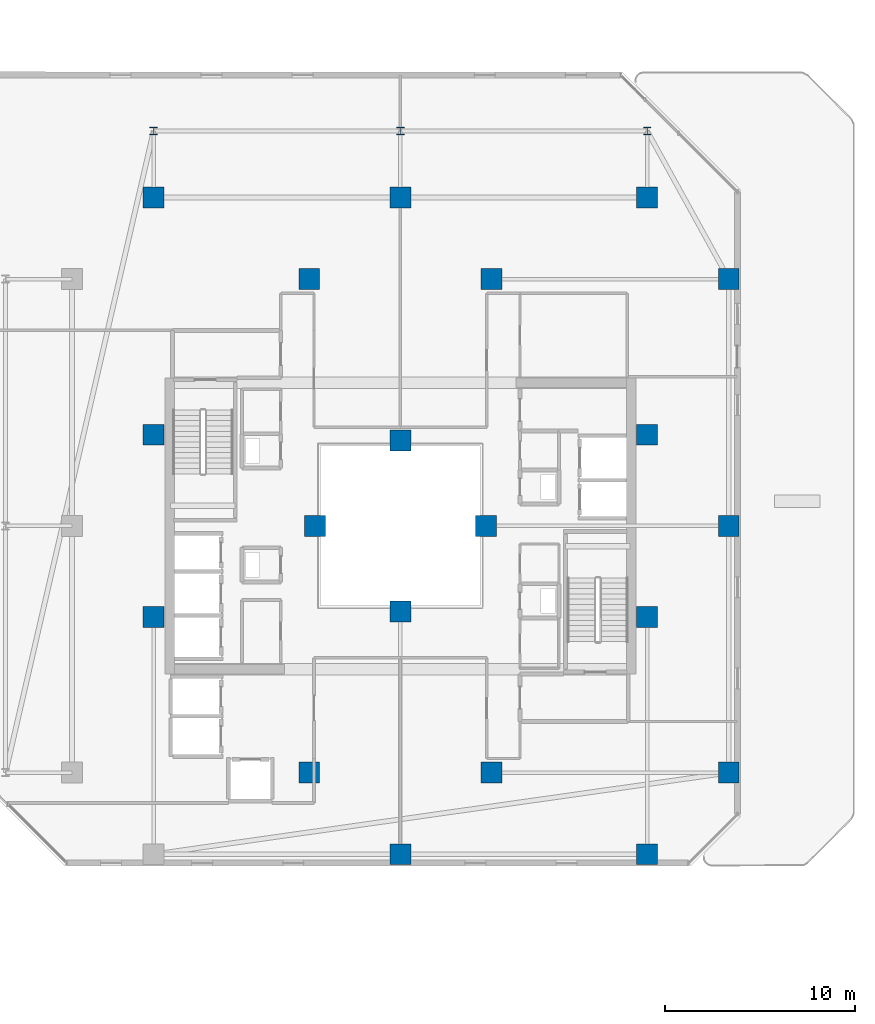
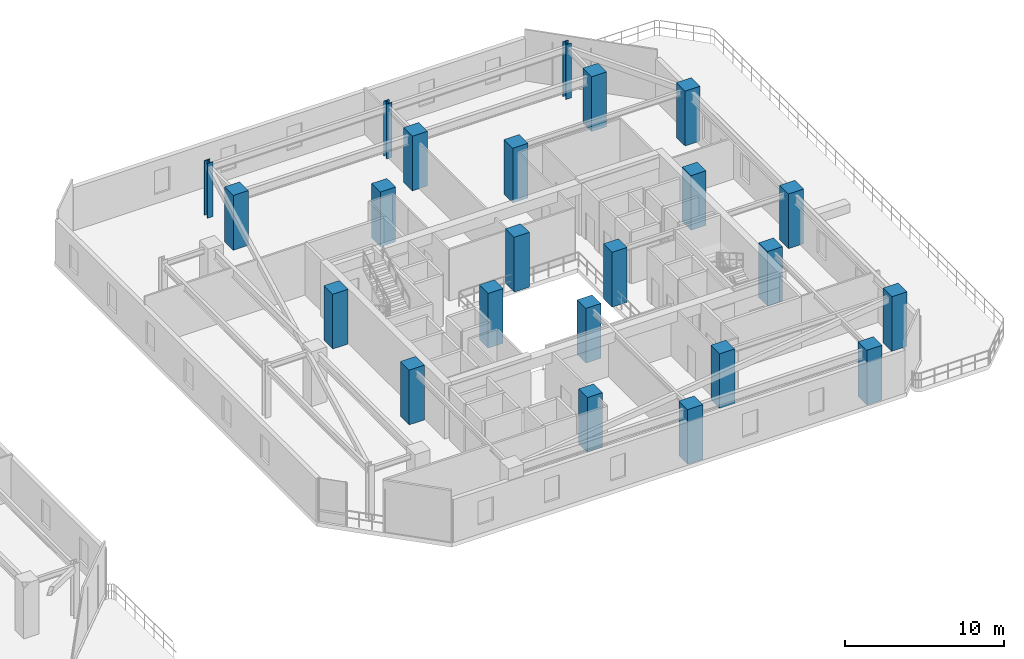
# One storey, part 2 of 33: 23 columns.
"""IFC4 building model written with IfcOpenShell, lengths in metres."""

from ifc_helpers import new_model, si_unit, direction, frame, origin, origin_2d, place, context, subcontext, project, spatial, rectangle, i_section, extrude, material, material_profile, profile_set, type_object, element, save


model = new_model("IFC4")

# Units and contexts
model_context = context("Model", 3, precision=1e-05, world=origin(), true_north=direction((0.0, 1.0)))
body_context = subcontext(model_context, "Body", "Model", "MODEL_VIEW")
ifc_project = project(units=[si_unit("LENGTHUNIT", "METRE"), si_unit("AREAUNIT", "SQUARE_METRE"), si_unit("VOLUMEUNIT", "CUBIC_METRE"), si_unit("PLANEANGLEUNIT", "RADIAN"), si_unit("MASSUNIT", "GRAM", prefix="KILO")], contexts=[model_context])

# Site, building, storey
site_placement = place(None, origin())
site = spatial("IfcSite", under=ifc_project, at=site_placement, CompositionType="ELEMENT")
building_placement = place(site_placement, origin())
building = spatial("IfcBuilding", under=site, at=building_placement, Name="Thornwick Lancets Civic Towers", CompositionType="ELEMENT")
storey_placement = place(building_placement, frame((0.0, 0.0, 174.300048828125)))
storey = spatial("IfcBuildingStorey", under=building, at=storey_placement, Name="L46", CompositionType="ELEMENT", Elevation=174.300048828125)

# Columns
ifc_material_1 = material(Name="Concrete C50/60", Category="concrete")
ifc_material_profile_1 = material_profile(ifc_material_1, rectangle(XDim=1.10009765625, YDim=1.10009765625, at=origin_2d()), Name="RC 1100x1100")
ifc_profile_set_1 = profile_set([ifc_material_profile_1], Name="Concrete C50/60")
column_type_1 = type_object("IfcColumnType", Name="COL_RC_1100", PredefinedType="COLUMN", material=ifc_profile_set_1)
for number, where, z_axis, x_axis, name in (
    (1, (105.800048828125, 14.0, 0.0), (0.0, 0.0, 1.0), (1.0, 0.0, 0.0), "L46 Spine Mega-Column B01"),
    (2, (105.800048828125, 27.0, 0.0), (0.0, 0.0, 1.0), (1.0, 0.0, 0.0), "L46 Spine Mega-Column B02"),
    (3, (105.800048828125, 40.0, 0.0), (0.0, 0.0, 1.0), (1.0, 0.0, 0.0), "L46 Spine Mega-Column B03"),
    (4, (101.5, 44.300048828125, 0.0), (0.0, 0.0, 1.0), (1.0, 0.0, 0.0), "L46 Spine Mega-Column B04"),
    (5, (88.5, 44.300048828125, 0.0), (0.0, 0.0, 1.0), (1.0, 0.0, 0.0), "L46 Spine Mega-Column B05"),
    (6, (75.5, 44.300048828125, 0.0), (0.0, 0.0, 1.0), (1.0, 0.0, 0.0), "L46 Spine Mega-Column B06"),
    (7, (101.5, 9.699951171875, 0.0), (0.0, 0.0, 1.0), (1.0, 0.0, 0.0), "L46 Spine Mega-Column B10"),
    (8, (88.5, 9.699951171875, 0.0), (0.0, 0.0, 1.0), (1.0, 0.0, 0.0), "L46 Spine Mega-Column B11"),
    (9, (93.300048828125, 14.0, 0.0), (0.0, 0.0, 1.0), (1.0, 0.0, 0.0), "L46 Spine Mega-Column B13"),
    (10, (93.300048828125, 40.0, 0.0), (0.0, 0.0, 1.0), (1.0, 0.0, 0.0), "L46 Spine Mega-Column B14"),
    (11, (83.699951171875, 14.0, 0.0), (0.0, 0.0, 1.0), (1.0, 0.0, 0.0), "L46 Spine Mega-Column B15"),
    (12, (83.699951171875, 40.0, 0.0), (0.0, 0.0, 1.0), (1.0, 0.0, 0.0), "L46 Spine Mega-Column B16"),
    (13, (101.5, 22.199951171875, 0.0), (0.0, 0.0, 1.0), (1.0, 0.0, 0.0), "L46 Spine Mega-Column B17"),
    (14, (101.5, 31.800048828125, 0.0), (0.0, 0.0, 1.0), (1.0, 0.0, 0.0), "L46 Spine Mega-Column B18"),
    (15, (75.5, 22.199951171875, 0.0), (0.0, 0.0, 1.0), (1.0, 0.0, 0.0), "L46 Spine Mega-Column B19"),
    (16, (75.5, 31.800048828125, 0.0), (0.0, 0.0, 1.0), (1.0, 0.0, 0.0), "L46 Spine Mega-Column B20"),
    (17, (93.0, 27.0, 0.0), (0.0, 0.0, 1.0), (1.0, 0.0, 0.0), "L46 Spine Mega-Column B21"),
    (18, (84.0, 27.0, 0.0), (0.0, 0.0, 1.0), (1.0, 0.0, 0.0), "L46 Spine Mega-Column B22"),
    (19, (88.5, 22.5, 0.0), (0.0, 0.0, 1.0), (1.0, 0.0, 0.0), "L46 Spine Mega-Column B23"),
    (20, (88.5, 31.5, 0.0), (0.0, 0.0, 1.0), (1.0, 0.0, 0.0), "L46 Spine Mega-Column B24"),
):
    element("IfcColumn", number, at=place(storey_placement, frame(where, z_axis=z_axis, x_axis=x_axis)), inside=storey, type_object=column_type_1, Name=name, PredefinedType="COLUMN", context=body_context, shape_type="SweptSolid", body=[
        extrude(rectangle(XDim=1.10009765625, YDim=1.10009765625, at=origin_2d()), origin(), (0.0, 0.0, 1.0), 4.199951171875),
    ])
ifc_material_2 = material(Name="Steel S460M", Category="steel")
ifc_material_profile_2 = material_profile(ifc_material_2, i_section(OverallWidth=0.406982421875, OverallDepth=0.4189453125, WebThickness=0.030517578125, FlangeThickness=0.04931640625, FilletRadius=0.01513671875, at=origin_2d()), Name="UKC 356x406x393")
ifc_profile_set_2 = profile_set([ifc_material_profile_2], Name="Steel S460M")
column_type_2 = type_object("IfcColumnType", Name="COL_UKC_393", PredefinedType="COLUMN", material=ifc_profile_set_2)
for number, where, z_axis, x_axis, name in (
    (21, (101.5, 47.800048828125, 0.0), (0.0, 0.0, 1.0), (1.0, 0.0, 0.0), "L46 Block Perimeter Column B04"),
    (22, (88.5, 47.800048828125, 0.0), (0.0, 0.0, 1.0), (1.0, 0.0, 0.0), "L46 Block Perimeter Column B05"),
    (23, (75.5, 47.800048828125, 0.0), (0.0, 0.0, 1.0), (1.0, 0.0, 0.0), "L46 Block Perimeter Column B06"),
):
    element("IfcColumn", number, at=place(storey_placement, frame(where, z_axis=z_axis, x_axis=x_axis)), inside=storey, type_object=column_type_2, Name=name, PredefinedType="COLUMN", context=body_context, shape_type="SweptSolid", body=[
        extrude(i_section(OverallWidth=0.406982421875, OverallDepth=0.4189453125, WebThickness=0.030517578125, FlangeThickness=0.04931640625, FilletRadius=0.01513671875, at=origin_2d()), origin(), (0.0, 0.0, 1.0), 4.199951171875),
    ])

save(model, "model.ifc")
